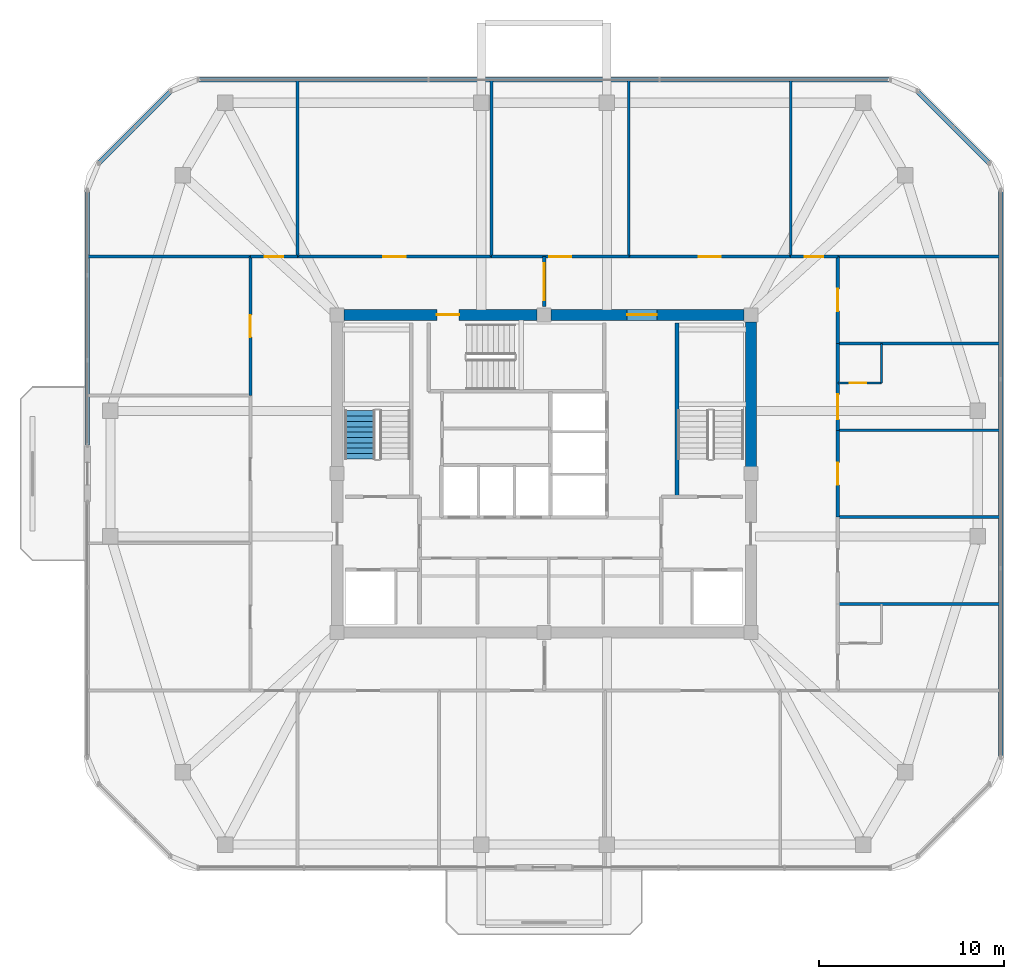
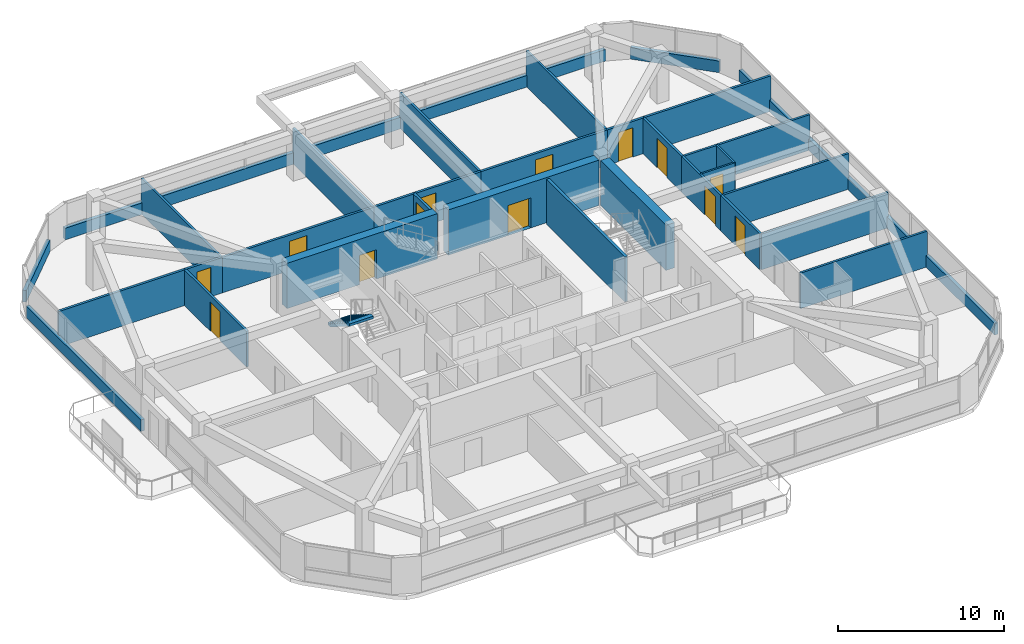
# One storey, part 10 of 13: 31 walls, 13 doors, 1 stair flight, 13 openings, 1 element without a shape of its own.
"""IFC4 building model written with IfcOpenShell, lengths in metres."""

from ifc_helpers import new_model, si_unit, derived_unit, direction, frame, frame_2d, origin, place, context, subcontext, project, spatial, polyline, rectangle, outline, extrude, material, layer, layer_set, type_object, element, fill, aggregate, save


model = new_model("IFC4")

# Units and contexts
model_context = context("Model", 3, precision=1e-05, world=origin(), true_north=direction((0.0, 1.0)))
body_context = subcontext(model_context, "Body", "Model", "MODEL_VIEW")
ifc_project = project(units=[si_unit("LENGTHUNIT", "METRE"), si_unit("AREAUNIT", "SQUARE_METRE"), si_unit("VOLUMEUNIT", "CUBIC_METRE"), si_unit("PLANEANGLEUNIT", "RADIAN"), si_unit("MASSUNIT", "GRAM", prefix="KILO"), derived_unit("THERMALTRANSMITTANCEUNIT", [(si_unit("POWERUNIT", "WATT"), 1), (si_unit("LENGTHUNIT", "METRE"), -2), (si_unit("THERMODYNAMICTEMPERATUREUNIT", "KELVIN"), -1)])], contexts=[model_context])

# Site, building, storey
site_placement = place(None, origin())
site = spatial("IfcSite", under=ifc_project, at=site_placement, CompositionType="ELEMENT")
building_placement = place(site_placement, origin())
building = spatial("IfcBuilding", under=site, at=building_placement, Name="Koralith Skygarden Medical Center", CompositionType="ELEMENT")
storey_placement = place(building_placement, frame((0.0, 0.0, 264.419921875)))
storey = spatial("IfcBuildingStorey", under=building, at=storey_placement, Name="L68", CompositionType="ELEMENT", Elevation=264.419921875)

# Walls
ifc_material_1 = material(Name="Gypsum Board Partition")
ifc_layer_1 = layer(ifc_material_1, 0.14990234375)
ifc_layer_set_1 = layer_set([ifc_layer_1], Name="Gypsum Board Partition")
wall_type_1 = type_object("IfcWallType", Name="Clinical Acoustic Partition 150", PredefinedType="PARTITIONING", material=ifc_layer_set_1)
for number, where, z_axis, x_axis, name in (
    (1, (23.64990234375, 37.64990234375, 0.0), (0.0, 0.0, 1.0), (0.0, 1.0, 0.0), "L68 Clinical Acoustic Partition 150 W-PART-L68-N-01"),
    (2, (34.157958984375, 37.64990234375, 0.0), (0.0, 0.0, 1.0), (0.0, 1.0, 0.0), "L68 Clinical Acoustic Partition 150 W-PART-L68-N-02"),
    (3, (41.583984375, 37.64990234375, 0.0), (0.0, 0.0, 1.0), (0.0, 1.0, 0.0), "L68 Clinical Acoustic Partition 150 W-PART-L68-N-03"),
    (4, (50.35009765625, 37.64990234375, 0.0), (0.0, 0.0, 1.0), (0.0, 1.0, 0.0), "L68 Clinical Acoustic Partition 150 W-PART-L68-N-04"),
):
    element("IfcWall", number, at=place(storey_placement, frame(where, z_axis=z_axis, x_axis=x_axis)), inside=storey, type_object=wall_type_1, Name=name, PredefinedType="PARTITIONING", context=body_context, shape_type="SweptSolid", body=[
        extrude(rectangle(XDim=9.550048828125, YDim=0.14990234375, at=frame_2d((4.77490234375, 0.0))), origin(), (0.0, 0.0, 1.0), 2.610107421875),
    ])
for number, where, z_axis, x_axis, name in (
    (5, (52.89990234375, 18.85009765625, 0.0), (0.0, 0.0, 1.0), (1.0, 0.0, 0.0), "L68 Clinical Acoustic Partition 150 W-PART-L68-E-01"),
    (6, (52.89990234375, 23.550048828125, 0.0), (0.0, 0.0, 1.0), (1.0, 0.0, 0.0), "L68 Clinical Acoustic Partition 150 W-PART-L68-E-02"),
    (7, (52.89990234375, 28.25, 0.0), (0.0, 0.0, 1.0), (1.0, 0.0, 0.0), "L68 Clinical Acoustic Partition 150 W-PART-L68-E-03"),
    (8, (52.89990234375, 32.949951171875, 0.0), (0.0, 0.0, 1.0), (1.0, 0.0, 0.0), "L68 Clinical Acoustic Partition 150 W-PART-L68-E-04"),
):
    element("IfcWall", number, at=place(storey_placement, frame(where, z_axis=z_axis, x_axis=x_axis)), inside=storey, type_object=wall_type_1, Name=name, PredefinedType="PARTITIONING", context=body_context, shape_type="SweptSolid", body=[
        extrude(rectangle(XDim=8.800048828125, YDim=0.14990234375, at=frame_2d((4.39990234375, 0.0))), origin(), (0.0, 0.0, 1.0), 2.610107421875),
    ])
ifc_layer_2 = layer(ifc_material_1, 0.1650390625)
ifc_layer_set_2 = layer_set([ifc_layer_2], Name="Gypsum Board Partition")
wall_type_2 = type_object("IfcWallType", Name="Clinical Corridor Partition 165", PredefinedType="PARTITIONING", material=ifc_layer_set_2)
for number, where, z_axis, x_axis, name in (
    (9, (12.300048828125, 37.64990234375, 0.0), (0.0, 0.0, 1.0), (1.0, 0.0, 0.0), "L68 Clinical Corridor Partition 165 W-WB-L68-NW"),
    (10, (52.89990234375, 37.64990234375, 0.0), (0.0, 0.0, 1.0), (1.0, 0.0, 0.0), "L68 Clinical Corridor Partition 165 W-WB-L68-NE"),
):
    element("IfcWall", number, at=place(storey_placement, frame(where, z_axis=z_axis, x_axis=x_axis)), inside=storey, type_object=wall_type_2, Name=name, PredefinedType="PARTITIONING", context=body_context, shape_type="SweptSolid", body=[
        extrude(rectangle(XDim=8.800048828125, YDim=0.1650390625, at=frame_2d((4.39990234375, 0.0))), origin(), (0.0, 0.0, 1.0), 2.610107421875),
    ])

# Wall, opening, door
wall_1_placement = place(storey_placement, frame((21.10009765625, 37.64990234375, 0.0), z_axis=(0.0, 0.0, 1.0), x_axis=(1.0, 0.0, 0.0)))
wall_1 = element("IfcWall", 11, at=wall_1_placement, inside=storey, type_object=wall_type_2, Name="L68 Clinical Corridor Partition 165 W-CORR-L68-N-01", PredefinedType="PARTITIONING", context=body_context, shape_type="SweptSolid", body=[
    extrude(rectangle(XDim=2.5498046875, YDim=0.1650390625, at=frame_2d((1.27490234375, 0.0))), origin(), (0.0, 0.0, 1.0), 2.610107421875),
])
opening_1_placement = place(wall_1_placement, frame((0.77490234375, 0.0, 0.0)))
opening_1 = element("IfcOpeningElement", 12, at=opening_1_placement, cuts=wall_1, Name="Opening D-SUP", PredefinedType="OPENING", context=body_context, shape_type="SweptSolid", body=[
    extrude(rectangle(XDim=1.0, YDim=2.14990234375, at=frame_2d((0.5, 1.074951171875))), frame((0.0, 0.092529296875, 0.0), z_axis=(0.0, -1.0, 0.0), x_axis=(1.0, 0.0, 0.0)), (0.0, 0.0, 1.0), 0.18505859375),
])
ifc_material_2 = material(Name="Aluminium 6063-T6", Category="aluminium")
door_type_1 = type_object("IfcDoorType", Name="Clinical Support Door D-SUP 1000", OperationType="NOTDEFINED", PredefinedType="DOOR", material=ifc_material_2)
door_1_placement = place(opening_1_placement, origin())
door_1 = element("IfcDoor", 13, at=door_1_placement, inside=storey, type_object=door_type_1, Name="L68 Infectious Disease Consult Office 01 Door", OperationType="SINGLE_SWING_RIGHT", OverallHeight=2.14990234375, OverallWidth=1.0, PredefinedType="DOOR", context=body_context, shape_type="SweptSolid", body=[
    extrude(rectangle(XDim=1.0, YDim=2.14990234375, at=frame_2d((0.5, 1.074951171875))), frame((0.0, 0.02490234375, 0.0), z_axis=(0.0, -1.0, 0.0), x_axis=(1.0, 0.0, 0.0)), (0.0, 0.0, 1.0), 0.050048828125),
])
fill(opening_1, door_1)

wall_2_placement = place(storey_placement, frame((23.64990234375, 37.64990234375, 0.0), z_axis=(0.0, 0.0, 1.0), x_axis=(1.0, 0.0, 0.0)))
wall_2 = element("IfcWall", 14, at=wall_2_placement, inside=storey, type_object=wall_type_2, Name="L68 Clinical Corridor Partition 165 W-CORR-L68-N-02", PredefinedType="PARTITIONING", context=body_context, shape_type="SweptSolid", body=[
    extrude(rectangle(XDim=10.508056640625, YDim=0.1650390625, at=frame_2d((5.25390625, 0.0))), origin(), (0.0, 0.0, 1.0), 2.610107421875),
])
opening_2_placement = place(wall_2_placement, frame((4.654052734375, 0.0, 0.0)))
opening_2 = element("IfcOpeningElement", 15, at=opening_2_placement, cuts=wall_2, Name="Opening D-CLN", PredefinedType="OPENING", context=body_context, shape_type="SweptSolid", body=[
    extrude(rectangle(XDim=1.199951171875, YDim=2.14990234375, at=frame_2d((0.60009765625, 1.074951171875))), frame((0.0, 0.092529296875, 0.0), z_axis=(0.0, -1.0, 0.0), x_axis=(1.0, 0.0, 0.0)), (0.0, 0.0, 1.0), 0.18505859375),
])
door_type_2 = type_object("IfcDoorType", Name="Clinical Corridor Door D-CLN 1200", OperationType="NOTDEFINED", PredefinedType="DOOR", material=ifc_material_2)
door_2_placement = place(opening_2_placement, origin())
door_2 = element("IfcDoor", 16, at=door_2_placement, inside=storey, type_object=door_type_2, Name="L68 PPE Isolation Supply Store 02 Door", OperationType="SINGLE_SWING_LEFT", OverallHeight=2.14990234375, OverallWidth=1.199951171875, PredefinedType="DOOR", context=body_context, shape_type="SweptSolid", body=[
    extrude(rectangle(XDim=1.199951171875, YDim=2.14990234375, at=frame_2d((0.60009765625, 1.074951171875))), frame((0.0, 0.02490234375, 0.0), z_axis=(0.0, -1.0, 0.0), x_axis=(1.0, 0.0, 0.0)), (0.0, 0.0, 1.0), 0.050048828125),
])
fill(opening_2, door_2)

wall_3_placement = place(storey_placement, frame((34.157958984375, 37.64990234375, 0.0), z_axis=(0.0, 0.0, 1.0), x_axis=(1.0, 0.0, 0.0)))
wall_3 = element("IfcWall", 17, at=wall_3_placement, inside=storey, type_object=wall_type_2, Name="L68 Clinical Corridor Partition 165 W-CORR-L68-N-03", PredefinedType="PARTITIONING", context=body_context, shape_type="SweptSolid", body=[
    extrude(rectangle(XDim=7.426025390625, YDim=0.1650390625, at=frame_2d((3.712890625, 0.0))), origin(), (0.0, 0.0, 1.0), 2.610107421875),
])
opening_3_placement = place(wall_3_placement, frame((3.113037109375, 0.0, 0.0)))
opening_3 = element("IfcOpeningElement", 18, at=opening_3_placement, cuts=wall_3, Name="Opening D-CLN", PredefinedType="OPENING", context=body_context, shape_type="SweptSolid", body=[
    extrude(rectangle(XDim=1.199951171875, YDim=2.14990234375, at=frame_2d((0.60009765625, 1.074951171875))), frame((0.0, 0.092529296875, 0.0), z_axis=(0.0, -1.0, 0.0), x_axis=(1.0, 0.0, 0.0)), (0.0, 0.0, 1.0), 0.18505859375),
])
door_3_placement = place(opening_3_placement, origin())
door_3 = element("IfcDoor", 19, at=door_3_placement, inside=storey, type_object=door_type_2, Name="L68 Staff Hydration Pantry 03 Door", OperationType="SINGLE_SWING_RIGHT", OverallHeight=2.14990234375, OverallWidth=1.199951171875, PredefinedType="DOOR", context=body_context, shape_type="SweptSolid", body=[
    extrude(rectangle(XDim=1.199951171875, YDim=2.14990234375, at=frame_2d((0.60009765625, 1.074951171875))), frame((0.0, 0.02490234375, 0.0), z_axis=(0.0, -1.0, 0.0), x_axis=(1.0, 0.0, 0.0)), (0.0, 0.0, 1.0), 0.050048828125),
])
fill(opening_3, door_3)

wall_4_placement = place(storey_placement, frame((41.583984375, 37.64990234375, 0.0), z_axis=(0.0, 0.0, 1.0), x_axis=(1.0, 0.0, 0.0)))
wall_4 = element("IfcWall", 20, at=wall_4_placement, inside=storey, type_object=wall_type_2, Name="L68 Clinical Corridor Partition 165 W-CORR-L68-N-04", PredefinedType="PARTITIONING", context=body_context, shape_type="SweptSolid", body=[
    extrude(rectangle(XDim=8.76611328125, YDim=0.1650390625, at=frame_2d((4.383056640625, 0.0))), origin(), (0.0, 0.0, 1.0), 2.610107421875),
])
opening_4_placement = place(wall_4_placement, frame((3.782958984375, 0.0, 0.0)))
opening_4 = element("IfcOpeningElement", 21, at=opening_4_placement, cuts=wall_4, Name="Opening D-CLN", PredefinedType="OPENING", context=body_context, shape_type="SweptSolid", body=[
    extrude(rectangle(XDim=1.199951171875, YDim=2.14990234375, at=frame_2d((0.60009765625, 1.074951171875))), frame((0.0, 0.092529296875, 0.0), z_axis=(0.0, -1.0, 0.0), x_axis=(1.0, 0.0, 0.0)), (0.0, 0.0, 1.0), 0.18505859375),
])
door_4_placement = place(opening_4_placement, origin())
door_4 = element("IfcDoor", 22, at=door_4_placement, inside=storey, type_object=door_type_2, Name="L68 Epidemiology Huddle Room 04 Door", OperationType="SINGLE_SWING_LEFT", OverallHeight=2.14990234375, OverallWidth=1.199951171875, PredefinedType="DOOR", context=body_context, shape_type="SweptSolid", body=[
    extrude(rectangle(XDim=1.199951171875, YDim=2.14990234375, at=frame_2d((0.60009765625, 1.074951171875))), frame((0.0, 0.02490234375, 0.0), z_axis=(0.0, -1.0, 0.0), x_axis=(1.0, 0.0, 0.0)), (0.0, 0.0, 1.0), 0.050048828125),
])
fill(opening_4, door_4)

wall_5_placement = place(storey_placement, frame((50.35009765625, 37.64990234375, 0.0), z_axis=(0.0, 0.0, 1.0), x_axis=(1.0, 0.0, 0.0)))
wall_5 = element("IfcWall", 23, at=wall_5_placement, inside=storey, type_object=wall_type_2, Name="L68 Clinical Corridor Partition 165 W-CORR-L68-N-05", PredefinedType="PARTITIONING", context=body_context, shape_type="SweptSolid", body=[
    extrude(rectangle(XDim=2.5498046875, YDim=0.1650390625, at=frame_2d((1.27490234375, 0.0))), origin(), (0.0, 0.0, 1.0), 2.610107421875),
])
opening_5_placement = place(wall_5_placement, frame((0.77490234375, 0.0, 0.0)))
opening_5 = element("IfcOpeningElement", 24, at=opening_5_placement, cuts=wall_5, Name="Opening D-SUP", PredefinedType="OPENING", context=body_context, shape_type="SweptSolid", body=[
    extrude(rectangle(XDim=1.0, YDim=2.14990234375, at=frame_2d((0.5, 1.074951171875))), frame((0.0, 0.092529296875, 0.0), z_axis=(0.0, -1.0, 0.0), x_axis=(1.0, 0.0, 0.0)), (0.0, 0.0, 1.0), 0.18505859375),
])
door_5_placement = place(opening_5_placement, origin())
door_5 = element("IfcDoor", 25, at=door_5_placement, inside=storey, type_object=door_type_1, Name="L68 Infectious Disease Consult Office 05 Door", OperationType="SINGLE_SWING_RIGHT", OverallHeight=2.14990234375, OverallWidth=1.0, PredefinedType="DOOR", context=body_context, shape_type="SweptSolid", body=[
    extrude(rectangle(XDim=1.0, YDim=2.14990234375, at=frame_2d((0.5, 1.074951171875))), frame((0.0, 0.02490234375, 0.0), z_axis=(0.0, -1.0, 0.0), x_axis=(1.0, 0.0, 0.0)), (0.0, 0.0, 1.0), 0.050048828125),
])
fill(opening_5, door_5)

wall_6_placement = place(storey_placement, frame((21.10009765625, 30.1298828125, 0.0), z_axis=(0.0, 0.0, 1.0), x_axis=(0.0, 1.0, 0.0)))
wall_6 = element("IfcWall", 26, at=wall_6_placement, inside=storey, type_object=wall_type_2, Name="L68 Clinical Corridor Partition 165 W-CORR-L68-W-03", PredefinedType="PARTITIONING", context=body_context, shape_type="SweptSolid", body=[
    extrude(rectangle(XDim=7.52001953125, YDim=0.1650390625, at=frame_2d((3.760009765625, 0.0))), origin(), (0.0, 0.0, 1.0), 2.610107421875),
])
opening_6_placement = place(wall_6_placement, frame((3.159912109375, 0.0, 0.0)))
opening_6 = element("IfcOpeningElement", 27, at=opening_6_placement, cuts=wall_6, Name="Opening D-CLN", PredefinedType="OPENING", context=body_context, shape_type="SweptSolid", body=[
    extrude(rectangle(XDim=1.199951171875, YDim=2.14990234375, at=frame_2d((0.60009765625, 1.074951171875))), frame((0.0, 0.092529296875, 0.0), z_axis=(0.0, -1.0, 0.0), x_axis=(1.0, 0.0, 0.0)), (0.0, 0.0, 1.0), 0.18505859375),
])
door_6_placement = place(opening_6_placement, frame((1.199951171875, 0.0, 0.0), z_axis=(0.0, 0.0, 1.0), x_axis=(-1.0, 0.0, 0.0)))
door_6 = element("IfcDoor", 28, at=door_6_placement, inside=storey, type_object=door_type_2, Name="L68 Staff Hydration Pantry 13 Door", OperationType="SINGLE_SWING_RIGHT", OverallHeight=2.14990234375, OverallWidth=1.199951171875, PredefinedType="DOOR", context=body_context, shape_type="SweptSolid", body=[
    extrude(rectangle(XDim=1.199951171875, YDim=2.14990234375, at=frame_2d((0.60009765625, 1.074951171875))), frame((0.0, 0.02490234375, 0.0), z_axis=(0.0, -1.0, 0.0), x_axis=(1.0, 0.0, 0.0)), (0.0, 0.0, 1.0), 0.050048828125),
])
fill(opening_6, door_6)

wall_7_placement = place(storey_placement, frame((52.89990234375, 23.550048828125, 0.0), z_axis=(0.0, 0.0, 1.0), x_axis=(0.0, 1.0, 0.0)))
wall_7 = element("IfcWall", 29, at=wall_7_placement, inside=storey, type_object=wall_type_2, Name="L68 Clinical Corridor Partition 165 W-CORR-L68-E-03", PredefinedType="PARTITIONING", context=body_context, shape_type="SweptSolid", body=[
    extrude(rectangle(XDim=4.699951171875, YDim=0.1650390625, at=frame_2d((2.35009765625, 0.0))), origin(), (0.0, 0.0, 1.0), 2.610107421875),
])
opening_7_placement = place(wall_7_placement, frame((1.75, 0.0, 0.0)))
opening_7 = element("IfcOpeningElement", 30, at=opening_7_placement, cuts=wall_7, Name="Opening D-CLN", PredefinedType="OPENING", context=body_context, shape_type="SweptSolid", body=[
    extrude(rectangle(XDim=1.199951171875, YDim=2.14990234375, at=frame_2d((0.60009765625, 1.074951171875))), frame((0.0, 0.092529296875, 0.0), z_axis=(0.0, -1.0, 0.0), x_axis=(1.0, 0.0, 0.0)), (0.0, 0.0, 1.0), 0.18505859375),
])
door_7_placement = place(opening_7_placement, origin())
door_7 = element("IfcDoor", 31, at=door_7_placement, inside=storey, type_object=door_type_2, Name="L68 Infectious Disease Consult Office 16 Door", OperationType="SINGLE_SWING_LEFT", OverallHeight=2.14990234375, OverallWidth=1.199951171875, PredefinedType="DOOR", context=body_context, shape_type="SweptSolid", body=[
    extrude(rectangle(XDim=1.199951171875, YDim=2.14990234375, at=frame_2d((0.60009765625, 1.074951171875))), frame((0.0, 0.02490234375, 0.0), z_axis=(0.0, -1.0, 0.0), x_axis=(1.0, 0.0, 0.0)), (0.0, 0.0, 1.0), 0.050048828125),
])
fill(opening_7, door_7)

wall_8_placement = place(storey_placement, frame((52.89990234375, 28.25, 0.0), z_axis=(0.0, 0.0, 1.0), x_axis=(0.0, 1.0, 0.0)))
wall_8 = element("IfcWall", 32, at=wall_8_placement, inside=storey, type_object=wall_type_2, Name="L68 Clinical Corridor Partition 165 W-CORR-L68-E-04", PredefinedType="PARTITIONING", context=body_context, shape_type="SweptSolid", body=[
    extrude(rectangle(XDim=4.699951171875, YDim=0.1650390625, at=frame_2d((2.35009765625, 0.0))), origin(), (0.0, 0.0, 1.0), 2.610107421875),
])
opening_8_placement = place(wall_8_placement, frame((0.590087890625, 0.0, 0.0)))
opening_8 = element("IfcOpeningElement", 33, at=opening_8_placement, cuts=wall_8, Name="Opening D-BED", PredefinedType="OPENING", context=body_context, shape_type="SweptSolid", body=[
    extrude(rectangle(XDim=1.35009765625, YDim=2.14990234375, at=frame_2d((0.675048828125, 1.074951171875))), frame((0.0, 0.092529296875, 0.0), z_axis=(0.0, -1.0, 0.0), x_axis=(1.0, 0.0, 0.0)), (0.0, 0.0, 1.0), 0.18505859375),
])
door_type_3 = type_object("IfcDoorType", Name="Inpatient Bed Leaf Door D-BED 1350", OperationType="NOTDEFINED", PredefinedType="DOOR", material=ifc_material_2)
door_8_placement = place(opening_8_placement, origin())
door_8 = element("IfcDoor", 34, at=door_8_placement, inside=storey, type_object=door_type_3, Name="L68 Inpatient Bedroom 17 Door", OperationType="SINGLE_SWING_RIGHT", OverallHeight=2.14990234375, OverallWidth=1.35009765625, PredefinedType="DOOR", context=body_context, shape_type="SweptSolid", body=[
    extrude(rectangle(XDim=1.35009765625, YDim=2.14990234375, at=frame_2d((0.675048828125, 1.074951171875))), frame((0.0, 0.02490234375, 0.0), z_axis=(0.0, -1.0, 0.0), x_axis=(1.0, 0.0, 0.0)), (0.0, 0.0, 1.0), 0.050048828125),
])
fill(opening_8, door_8)

wall_9_placement = place(storey_placement, frame((52.89990234375, 32.949951171875, 0.0), z_axis=(0.0, 0.0, 1.0), x_axis=(0.0, 1.0, 0.0)))
wall_9 = element("IfcWall", 35, at=wall_9_placement, inside=storey, type_object=wall_type_2, Name="L68 Clinical Corridor Partition 165 W-CORR-L68-E-05", PredefinedType="PARTITIONING", context=body_context, shape_type="SweptSolid", body=[
    extrude(rectangle(XDim=4.699951171875, YDim=0.1650390625, at=frame_2d((2.35009765625, 0.0))), origin(), (0.0, 0.0, 1.0), 2.610107421875),
])
opening_9_placement = place(wall_9_placement, frame((1.75, 0.0, 0.0)))
opening_9 = element("IfcOpeningElement", 36, at=opening_9_placement, cuts=wall_9, Name="Opening D-CLN", PredefinedType="OPENING", context=body_context, shape_type="SweptSolid", body=[
    extrude(rectangle(XDim=1.199951171875, YDim=2.14990234375, at=frame_2d((0.60009765625, 1.074951171875))), frame((0.0, 0.092529296875, 0.0), z_axis=(0.0, -1.0, 0.0), x_axis=(1.0, 0.0, 0.0)), (0.0, 0.0, 1.0), 0.18505859375),
])
door_9_placement = place(opening_9_placement, origin())
door_9 = element("IfcDoor", 37, at=door_9_placement, inside=storey, type_object=door_type_2, Name="L68 PPE Isolation Supply Store 18 Door", OperationType="SINGLE_SWING_LEFT", OverallHeight=2.14990234375, OverallWidth=1.199951171875, PredefinedType="DOOR", context=body_context, shape_type="SweptSolid", body=[
    extrude(rectangle(XDim=1.199951171875, YDim=2.14990234375, at=frame_2d((0.60009765625, 1.074951171875))), frame((0.0, 0.02490234375, 0.0), z_axis=(0.0, -1.0, 0.0), x_axis=(1.0, 0.0, 0.0)), (0.0, 0.0, 1.0), 0.050048828125),
])
fill(opening_9, door_9)

ifc_layer_3 = layer(ifc_material_1, 0.179931640625)
ifc_layer_set_3 = layer_set([ifc_layer_3], Name="Gypsum Board Partition")
wall_type_3 = type_object("IfcWallType", Name="Group I-2 Smoke Barrier Wall 180", PredefinedType="PARTITIONING", material=ifc_layer_set_3)
wall_10_placement = place(storey_placement, frame((37.0, 34.949951171875, 0.0), z_axis=(0.0, 0.0, 1.0), x_axis=(0.0, 1.0, 0.0)))
wall_10 = element("IfcWall", 38, at=wall_10_placement, inside=storey, type_object=wall_type_3, Name="L68 Group I-2 Smoke Barrier Wall 180 W-SMK-L68-N", PredefinedType="PARTITIONING", context=body_context, shape_type="SweptSolid", body=[
    extrude(rectangle(XDim=2.699951171875, YDim=0.179931640625, at=frame_2d((1.35009765625, 0.0))), origin(), (0.0, 0.0, 1.0), 2.610107421875),
])
opening_10_placement = place(wall_10_placement, frame((0.35009765625, 0.0, 0.0)))
opening_10 = element("IfcOpeningElement", 39, at=opening_10_placement, cuts=wall_10, Name="Opening D-SMK", PredefinedType="OPENING", context=body_context, shape_type="SweptSolid", body=[
    extrude(rectangle(XDim=2.0, YDim=2.199951171875, at=frame_2d((1.0, 1.10009765625))), frame((0.0, 0.099853515625, 0.0), z_axis=(0.0, -1.0, 0.0), x_axis=(1.0, 0.0, 0.0)), (0.0, 0.0, 1.0), 0.199951171875),
])
ifc_material_3 = material(Name="Steel ASTM A500 Grade C", Category="steel")
door_type_4 = type_object("IfcDoorType", Name="Cross-Corridor Double Smoke Door FD60S 2000", OperationType="NOTDEFINED", PredefinedType="DOOR", material=ifc_material_3)
door_10_placement = place(opening_10_placement, origin())
door_10 = element("IfcDoor", 40, at=door_10_placement, inside=storey, type_object=door_type_4, Name="L68 N Smoke Compartment Cross-Corridor Door", OperationType="DOUBLE_DOOR_SINGLE_SWING", OverallHeight=2.199951171875, OverallWidth=2.0, PredefinedType="DOOR", context=body_context, shape_type="SweptSolid", body=[
    extrude(rectangle(XDim=2.0, YDim=2.199951171875, at=frame_2d((1.0, 1.10009765625))), frame((0.0, 0.02490234375, 0.0), z_axis=(0.0, -1.0, 0.0), x_axis=(1.0, 0.0, 0.0)), (0.0, 0.0, 1.0), 0.050048828125),
])
fill(opening_10, door_10)

# Walls
ifc_material_4 = material(Name="Warm Oolitic Limestone Cladding", Category="masonry")
ifc_layer_4 = layer(ifc_material_4, 0.239990234375)
ifc_layer_set_4 = layer_set([ifc_layer_4], Name="Warm Oolitic Limestone Cladding")
wall_type_4 = type_object("IfcWallType", Name="Limestone Spandrel Sill Backup Wall 240", PredefinedType="SOLIDWALL", material=ifc_layer_set_4)
wall_11_placement = place(storey_placement, frame((61.719970703125, 10.554931640625, 0.0), z_axis=(0.0, 0.0, 1.0), x_axis=(0.0, 1.0, 0.0)))
element("IfcWall", 41, at=wall_11_placement, inside=storey, type_object=wall_type_4, Name="L68 Sill Spandrel E", PredefinedType="SOLIDWALL", context=body_context, shape_type="SweptSolid", body=[
    extrude(rectangle(XDim=30.690185546875, YDim=0.239990234375, at=frame_2d((15.34521484375, 0.0))), origin(), (0.0, 0.0, 1.0), 0.85009765625),
])
wall_12_placement = place(storey_placement, frame((61.118896484375, 42.696044921875, 0.0), z_axis=(0.0, 0.0, 1.0), x_axis=(-0.707106781187, 0.707106781187, 0.0)))
element("IfcWall", 42, at=wall_12_placement, inside=storey, type_object=wall_type_4, Name="L68 Sill Spandrel NE", PredefinedType="SOLIDWALL", context=body_context, shape_type="SweptSolid", body=[
    extrude(rectangle(XDim=5.5478515625, YDim=0.239990234375, at=frame_2d((2.77392578125, 0.0))), origin(), (0.0, 0.0, 1.0), 0.85009765625),
])
wall_13_placement = place(storey_placement, frame((55.7451171875, 47.219970703125, 0.0), z_axis=(0.0, 0.0, 1.0), x_axis=(-1.0, 0.0, 0.0)))
element("IfcWall", 43, at=wall_13_placement, inside=storey, type_object=wall_type_4, Name="L68 Sill Spandrel N", PredefinedType="SOLIDWALL", context=body_context, shape_type="SweptSolid", body=[
    extrude(rectangle(XDim=37.490234375, YDim=0.239990234375, at=frame_2d((18.7451171875, 0.0))), origin(), (0.0, 0.0, 1.0), 0.85009765625),
])
wall_14_placement = place(storey_placement, frame((16.803955078125, 46.618896484375, 0.0), z_axis=(0.0, 0.0, 1.0), x_axis=(-0.707106781187, -0.707106781187, 0.0)))
element("IfcWall", 44, at=wall_14_placement, inside=storey, type_object=wall_type_4, Name="L68 Sill Spandrel NW", PredefinedType="SOLIDWALL", context=body_context, shape_type="SweptSolid", body=[
    extrude(rectangle(XDim=5.5478515625, YDim=0.239990234375, at=frame_2d((2.77392578125, 0.0))), origin(), (0.0, 0.0, 1.0), 0.85009765625),
])
wall_15_placement = place(storey_placement, frame((12.280029296875, 41.2451171875, 0.0), z_axis=(0.0, 0.0, 1.0), x_axis=(0.0, -1.0, 0.0)))
element("IfcWall", 45, at=wall_15_placement, inside=storey, type_object=wall_type_4, Name="L68 Sill Spandrel W-L", PredefinedType="SOLIDWALL", context=body_context, shape_type="SweptSolid", body=[
    extrude(rectangle(XDim=13.80517578125, YDim=0.239990234375, at=frame_2d((6.902587890625, 0.0))), origin(), (0.0, 0.0, 1.0), 0.85009765625),
])

# Wall, opening, door
ifc_layer_5 = layer(ifc_material_1, 0.1201171875)
ifc_layer_set_5 = layer_set([ifc_layer_5], Name="Gypsum Board Partition")
wall_type_5 = type_object("IfcWallType", Name="Plumbing Wet Wall 120", PredefinedType="PLUMBINGWALL", material=ifc_layer_set_5)
wall_16_placement = place(storey_placement, frame((52.89990234375, 30.81005859375, 0.0), z_axis=(0.0, 0.0, 1.0), x_axis=(1.0, 0.0, 0.0)))
wall_16 = element("IfcWall", 46, at=wall_16_placement, inside=storey, type_object=wall_type_5, Name="L68 Plumbing Wet Wall 120 W-ENS-L68-17A", PredefinedType="PLUMBINGWALL", context=body_context, shape_type="SweptSolid", body=[
    extrude(rectangle(XDim=2.360107421875, YDim=0.1201171875, at=frame_2d((1.18017578125, 0.0))), origin(), (0.0, 0.0, 1.0), 2.610107421875),
])
opening_11_placement = place(wall_16_placement, frame((0.64990234375, 0.0, 0.0)))
opening_11 = element("IfcOpeningElement", 47, at=opening_11_placement, cuts=wall_16, Name="Opening D-ENS", PredefinedType="OPENING", context=body_context, shape_type="SweptSolid", body=[
    extrude(rectangle(XDim=0.89990234375, YDim=2.10009765625, at=frame_2d((0.449951171875, 1.050048828125))), frame((0.0, 0.070068359375, 0.0), z_axis=(0.0, -1.0, 0.0), x_axis=(1.0, 0.0, 0.0)), (0.0, 0.0, 1.0), 0.14013671875),
])
door_type_5 = type_object("IfcDoorType", Name="En-Suite Bathroom Door D-ENS 900", OperationType="NOTDEFINED", PredefinedType="DOOR", material=ifc_material_2)
door_11_placement = place(opening_11_placement, frame((0.89990234375, 0.0, 0.0), z_axis=(0.0, 0.0, 1.0), x_axis=(-1.0, 0.0, 0.0)))
door_11 = element("IfcDoor", 48, at=door_11_placement, inside=storey, type_object=door_type_5, Name="L68 En-Suite 17 Door", OperationType="SINGLE_SWING_RIGHT", OverallHeight=2.10009765625, OverallWidth=0.89990234375, PredefinedType="DOOR", context=body_context, shape_type="SweptSolid", body=[
    extrude(rectangle(XDim=0.89990234375, YDim=2.10009765625, at=frame_2d((0.449951171875, 1.050048828125))), frame((0.0, 0.02490234375, 0.0), z_axis=(0.0, -1.0, 0.0), x_axis=(1.0, 0.0, 0.0)), (0.0, 0.0, 1.0), 0.050048828125),
])
fill(opening_11, door_11)

# Walls
wall_17_placement = place(storey_placement, frame((55.260009765625, 30.81005859375, 0.0), z_axis=(0.0, 0.0, 1.0), x_axis=(0.0, 1.0, 0.0)))
element("IfcWall", 49, at=wall_17_placement, inside=storey, type_object=wall_type_5, Name="L68 Plumbing Wet Wall 120 W-ENS-L68-17B", PredefinedType="PLUMBINGWALL", context=body_context, shape_type="SweptSolid", body=[
    extrude(rectangle(XDim=2.139892578125, YDim=0.1201171875, at=frame_2d((1.06982421875, 0.0))), origin(), (0.0, 0.0, 1.0), 2.610107421875),
])
ifc_material_5 = material(Name="Concrete C45/55", Category="concrete")
ifc_layer_6 = layer(ifc_material_5, 0.199951171875)
ifc_layer_set_6 = layer_set([ifc_layer_6], Name="Concrete C45/55")
wall_type_6 = type_object("IfcWallType", Name="Structural Stair Shaft Wall 200", PredefinedType="SHEAR", material=ifc_layer_set_6)
wall_18_placement = place(storey_placement, frame((44.199951171875, 24.64990234375, 0.0), z_axis=(0.0, 0.0, 1.0), x_axis=(0.0, 1.0, 0.0)))
element("IfcWall", 50, at=wall_18_placement, inside=storey, type_object=wall_type_6, Name="L68 Structural Stair Shaft Wall 200 W-CORE-L68-ST2-W", PredefinedType="SHEAR", context=body_context, shape_type="SweptSolid", body=[
    extrude(rectangle(XDim=9.400146484375, YDim=0.199951171875, at=frame_2d((4.7001953125, 0.0))), origin(), (0.0, 0.0, 1.0), 3.320068359375),
])
ifc_material_6 = material(Name="Concrete C55/67", Category="concrete")
ifc_layer_7 = layer(ifc_material_6, 0.60009765625)
ifc_layer_set_7 = layer_set([ifc_layer_7], Name="Concrete C55/67")
wall_type_7 = type_object("IfcWallType", Name="Upper Core Shear Wall 600", PredefinedType="SHEAR", material=ifc_layer_set_7)
wall_19_placement = place(storey_placement, frame((48.199951171875, 26.27490234375, 0.0), z_axis=(0.0, 0.0, 1.0), x_axis=(0.0, 1.0, 0.0)))
element("IfcWall", 51, at=wall_19_placement, inside=storey, type_object=wall_type_7, Name="L68 Core Shear Wall Segment 4", PredefinedType="SHEAR", context=body_context, shape_type="SweptSolid", body=[
    extrude(rectangle(XDim=7.85009765625, YDim=0.60009765625, at=frame_2d((3.925048828125, 0.0))), origin(), (0.0, 0.0, 1.0), 3.320068359375),
])

# Wall, opening, door
wall_20_placement = place(storey_placement, frame((47.824951171875, 34.5, 0.0), z_axis=(0.0, 0.0, 1.0), x_axis=(-1.0, 0.0, 0.0)))
wall_20 = element("IfcWall", 52, at=wall_20_placement, inside=storey, type_object=wall_type_7, Name="L68 Core Shear Wall Segment 5", PredefinedType="SHEAR", context=body_context, shape_type="SweptSolid", body=[
    extrude(rectangle(XDim=10.449951171875, YDim=0.60009765625, at=frame_2d((5.22509765625, 0.0))), origin(), (0.0, 0.0, 1.0), 3.320068359375),
])
opening_12_placement = place(wall_20_placement, frame((4.72509765625, 0.0, 0.0)))
opening_12 = element("IfcOpeningElement", 53, at=opening_12_placement, cuts=wall_20, Name="Opening D-DBL", PredefinedType="OPENING", context=body_context, shape_type="SweptSolid", body=[
    extrude(rectangle(XDim=1.60009765625, YDim=2.199951171875, at=frame_2d((0.800048828125, 1.10009765625))), frame((0.0, 0.31005859375, 0.0), z_axis=(0.0, -1.0, 0.0), x_axis=(1.0, 0.0, 0.0)), (0.0, 0.0, 1.0), 0.6201171875),
])
door_type_6 = type_object("IfcDoorType", Name="Double Clinical Suite Door D-DBL 1600", OperationType="NOTDEFINED", PredefinedType="DOOR", material=ifc_material_2)
door_12_placement = place(opening_12_placement, frame((1.60009765625, 0.0, 0.0), z_axis=(0.0, 0.0, 1.0), x_axis=(-1.0, 0.0, 0.0)))
door_12 = element("IfcDoor", 54, at=door_12_placement, inside=storey, type_object=door_type_6, Name="L68 North-East Corridor to Elevator Lobby Door", OperationType="DOUBLE_DOOR_SINGLE_SWING", OverallHeight=2.199951171875, OverallWidth=1.60009765625, PredefinedType="DOOR", context=body_context, shape_type="SweptSolid", body=[
    extrude(rectangle(XDim=1.60009765625, YDim=2.199951171875, at=frame_2d((0.800048828125, 1.10009765625))), frame((0.0, 0.02490234375, 0.0), z_axis=(0.0, -1.0, 0.0), x_axis=(1.0, 0.0, 0.0)), (0.0, 0.0, 1.0), 0.050048828125),
])
fill(opening_12, door_12)

wall_21_placement = place(storey_placement, frame((36.625, 34.5, 0.0), z_axis=(0.0, 0.0, 1.0), x_axis=(-1.0, 0.0, 0.0)))
wall_21 = element("IfcWall", 55, at=wall_21_placement, inside=storey, type_object=wall_type_7, Name="L68 Core Shear Wall Segment 6", PredefinedType="SHEAR", context=body_context, shape_type="SweptSolid", body=[
    extrude(rectangle(XDim=10.449951171875, YDim=0.60009765625, at=frame_2d((5.22509765625, 0.0))), origin(), (0.0, 0.0, 1.0), 3.320068359375),
])
opening_13_placement = place(wall_21_placement, frame((4.22509765625, 0.0, 0.0)))
opening_13 = element("IfcOpeningElement", 56, at=opening_13_placement, cuts=wall_21, Name="Opening D-ST60", PredefinedType="OPENING", context=body_context, shape_type="SweptSolid", body=[
    extrude(rectangle(XDim=1.199951171875, YDim=2.14990234375, at=frame_2d((0.60009765625, 1.074951171875))), frame((0.0, 0.31005859375, 0.0), z_axis=(0.0, -1.0, 0.0), x_axis=(1.0, 0.0, 0.0)), (0.0, 0.0, 1.0), 0.6201171875),
])
door_type_7 = type_object("IfcDoorType", Name="Smokeproof Stair Fire Door FD60S 1200", OperationType="NOTDEFINED", PredefinedType="DOOR", material=ifc_material_3)
door_13_placement = place(opening_13_placement, frame((1.199951171875, 0.0, 0.0), z_axis=(0.0, 0.0, 1.0), x_axis=(-1.0, 0.0, 0.0)))
door_13 = element("IfcDoor", 57, at=door_13_placement, inside=storey, type_object=door_type_7, Name="L68 Exit Stair ST3 Fire Door", OperationType="SINGLE_SWING_LEFT", OverallHeight=2.14990234375, OverallWidth=1.199951171875, PredefinedType="DOOR", context=body_context, shape_type="SweptSolid", body=[
    extrude(rectangle(XDim=1.199951171875, YDim=2.14990234375, at=frame_2d((0.60009765625, 1.074951171875))), frame((0.0, 0.02490234375, 0.0), z_axis=(0.0, -1.0, 0.0), x_axis=(1.0, 0.0, 0.0)), (0.0, 0.0, 1.0), 0.050048828125),
])
fill(opening_13, door_13)

# Stair, stair flight
stair_type = type_object("IfcStairType", Name="Core Exit Dogleg Concrete Stair", PredefinedType="HALF_TURN_STAIR", material=ifc_material_5)
stair_placement = place(storey_placement, origin())
stair = element("IfcStair", 58, at=stair_placement, inside=storey, type_object=stair_type, Name="L68 Smokeproof Exit Stair ST1", PredefinedType="HALF_TURN_STAIR")
stair_flight_type = type_object("IfcStairFlightType", Name="Core Exit Concrete Stair Flight 1650", PredefinedType="STRAIGHT", material=ifc_material_5)
stair_flight_placement = place(storey_placement, frame((27.02490234375, 29.31005859375, 1.800048828125), z_axis=(0.0, 0.0, 1.0), x_axis=(0.0, -1.0, 0.0)))
stair_flight = element("IfcStairFlight", 59, at=stair_flight_placement, type_object=stair_flight_type, Name="ST1 flight 2", NumberOfRisers=10, NumberOfTreads=9, PredefinedType="STRAIGHT", RiserHeight=0.18, TreadLength=0.29, context=body_context, shape_type="SweptSolid", body=[
    extrude(outline(polyline([(0.0, 0.0), (0.0, 0.179931640625), (0.2900390625, 0.179931640625), (0.2900390625, 0.360107421875), (0.580078125, 0.360107421875), (0.580078125, 0.5400390625), (0.8701171875, 0.5400390625), (0.8701171875, 0.719970703125), (1.159912109375, 0.719970703125), (1.159912109375, 0.89990234375), (1.449951171875, 0.89990234375), (1.449951171875, 1.080078125), (1.739990234375, 1.080078125), (1.739990234375, 1.260009765625), (2.030029296875, 1.260009765625), (2.030029296875, 1.43994140625), (2.320068359375, 1.43994140625), (2.320068359375, 1.6201171875), (2.610107421875, 1.6201171875), (2.610107421875, 1.800048828125), (2.610107421875, 1.443603515625), (0.2841796875, 0.0), (0.0, 0.0)])), frame((0.0, 0.824951171875, 0.0), z_axis=(0.0, -1.0, 0.0), x_axis=(1.0, 0.0, 0.0)), (0.0, 0.0, 1.0), 1.64990234375),
])
aggregate(stair, [stair_flight])

save(model, "model.ifc")
